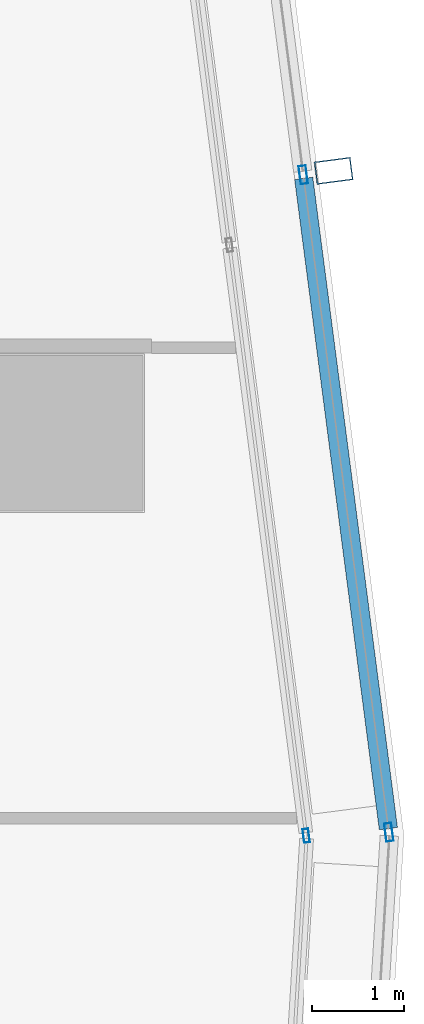
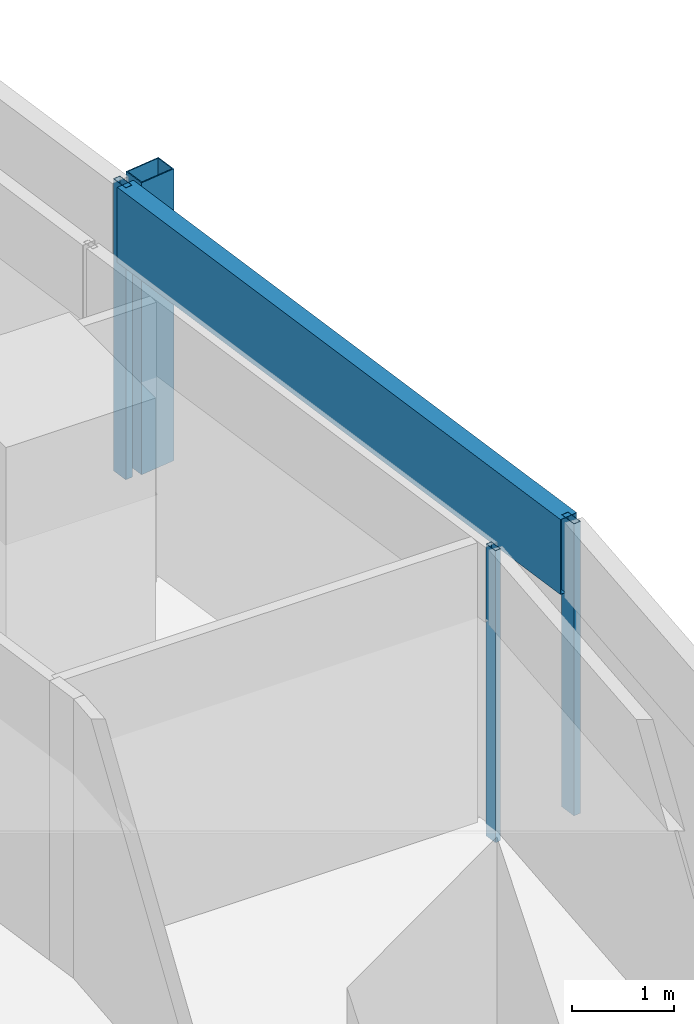
# One storey, part 24 of 38: 5 members, 2 elements without a shape of their own.
"""IFC4 building model written with IfcOpenShell, lengths in metres."""

from ifc_helpers import new_model, si_unit, direction, frame, origin, origin_2d, place, context, subcontext, project, spatial, hollow_rectangle, extrude, material, material_profile, profile_set, type_object, element, aggregate, save


model = new_model("IFC4")

# Units and contexts
model_context = context("Model", 3, precision=1e-05, world=origin(), true_north=direction((0.0, 1.0)))
body_context = subcontext(model_context, "Body", "Model", "MODEL_VIEW")
ifc_project = project(units=[si_unit("LENGTHUNIT", "METRE"), si_unit("AREAUNIT", "SQUARE_METRE"), si_unit("VOLUMEUNIT", "CUBIC_METRE"), si_unit("PLANEANGLEUNIT", "RADIAN"), si_unit("MASSUNIT", "GRAM", prefix="KILO")], contexts=[model_context])

# Site, building, storey
site_placement = place(None, origin())
site = spatial("IfcSite", under=ifc_project, at=site_placement, CompositionType="ELEMENT")
building_placement = place(site_placement, origin())
building = spatial("IfcBuilding", under=site, at=building_placement, Name="Rekha Terrace Tower", CompositionType="ELEMENT")
storey_placement = place(building_placement, frame((0.0, 0.0, 114.050048828125)))
storey = spatial("IfcBuildingStorey", under=building, at=storey_placement, Name="L28", CompositionType="ELEMENT", Elevation=114.050048828125)

# Curtain wall, member
ifc_material_1 = material(Name="Aluminium framing", Category="aluminium")
curtain_wall_type_1 = type_object("IfcCurtainWallType", Name="CW2 double skin outer glazing", PredefinedType="USERDEFINED", material=ifc_material_1)
curtain_wall_1_placement = place(storey_placement, origin())
curtain_wall_1 = element("IfcCurtainWall", 1, at=curtain_wall_1_placement, inside=storey, type_object=curtain_wall_type_1, Name="CW2 double skin outer glazing", ObjectType="DOUBLE SKIN OUTER GLAZING", PredefinedType="USERDEFINED")
ifc_material_2 = material(Name="Steel S355 with fluorocarbon finish", Category="steel")
ifc_material_profile_1 = material_profile(ifc_material_2, hollow_rectangle(XDim=0.25, YDim=0.39990234375, WallThickness=0.012451171875, at=origin_2d()), Name="RHS400x250x12.5")
ifc_profile_set_1 = profile_set([ifc_material_profile_1], Name="Steel S355 with fluorocarbon finish")
member_type_1 = type_object("IfcMemberType", Name="BL1 facade blade RHS 400 x 250", PredefinedType="USERDEFINED", material=ifc_profile_set_1)
member_1_placement = place(storey_placement, frame((70.131103515625, 53.2685546875, 0.0), z_axis=(0.0, 0.0, 1.0), x_axis=(-0.129119247945, 0.991629073702, 0.0)))
member_1 = element("IfcMember", 2, at=member_1_placement, type_object=member_type_1, Name="Facade blade", ObjectType="FACADE BLADE", PredefinedType="USERDEFINED", context=body_context, shape_type="SweptSolid", body=[
    extrude(hollow_rectangle(XDim=0.25, YDim=0.39990234375, WallThickness=0.012451171875, at=origin_2d()), origin(), (0.0, 0.0, 1.0), 3.5),
])

curtain_wall_type_2 = type_object("IfcCurtainWallType", Name="CW1 double skin inner glazing", PredefinedType="USERDEFINED", material=ifc_material_1)
curtain_wall_2_placement = place(storey_placement, origin())
curtain_wall_2 = element("IfcCurtainWall", 3, at=curtain_wall_2_placement, inside=storey, type_object=curtain_wall_type_2, Name="CW1 double skin inner glazing", ObjectType="DOUBLE SKIN INNER GLAZING", PredefinedType="USERDEFINED")
ifc_material_3 = material(Name="Aluminium mullion section", Category="aluminium")
ifc_material_profile_2 = material_profile(ifc_material_3, hollow_rectangle(XDim=0.06494140625, YDim=0.14990234375, WallThickness=0.00390625, at=origin_2d()), Name="AL RHS 65x150")
ifc_profile_set_2 = profile_set([ifc_material_profile_2], Name="Aluminium mullion section")
member_type_2 = type_object("IfcMemberType", Name="CW1 mullion RHS 65 x 150", PredefinedType="MULLION", material=ifc_profile_set_2)
member_2_placement = place(storey_placement, frame((69.83154296875, 46.00390625, 0.0), z_axis=(0.0, 0.0, 1.0), x_axis=(-0.991629186237, -0.129118383675, 0.0)))
member_2 = element("IfcMember", 4, at=member_2_placement, type_object=member_type_2, Name="CW1 mullion 1", PredefinedType="MULLION", context=body_context, shape_type="SweptSolid", body=[
    extrude(hollow_rectangle(XDim=0.06494140625, YDim=0.14990234375, WallThickness=0.00390625, at=origin_2d()), origin(), (0.0, 0.0, 1.0), 3.5),
])
aggregate(curtain_wall_2, [member_2])

# Member
ifc_material_profile_3 = material_profile(ifc_material_3, hollow_rectangle(XDim=0.080078125, YDim=0.199951171875, WallThickness=0.00390625, at=origin_2d()), Name="AL RHS 80x200")
ifc_profile_set_3 = profile_set([ifc_material_profile_3], Name="Aluminium mullion section")
member_type_3 = type_object("IfcMemberType", Name="CW2 mullion RHS 80 x 200", PredefinedType="MULLION", material=ifc_profile_set_3)
member_3_placement = place(storey_placement, frame((70.734130859375, 46.042236328125, 0.0), z_axis=(0.0, 0.0, 1.0), x_axis=(-0.991629186244, -0.129118383623, 0.0)))
member_3 = element("IfcMember", 5, at=member_3_placement, type_object=member_type_3, Name="CW2 mullion 1", PredefinedType="MULLION", context=body_context, shape_type="SweptSolid", body=[
    extrude(hollow_rectangle(XDim=0.080078125, YDim=0.199951171875, WallThickness=0.00390625, at=origin_2d()), origin(), (0.0, 0.0, 1.0), 3.5),
])

member_4_placement = place(storey_placement, frame((69.798828125, 53.225341796875, 0.0), z_axis=(0.0, 0.0, 1.0), x_axis=(-0.991629186244, -0.129118383623, 0.0)))
member_4 = element("IfcMember", 6, at=member_4_placement, type_object=member_type_3, Name="CW2 mullion 2", PredefinedType="MULLION", context=body_context, shape_type="SweptSolid", body=[
    extrude(hollow_rectangle(XDim=0.080078125, YDim=0.199951171875, WallThickness=0.00390625, at=origin_2d()), origin(), (0.0, 0.0, 1.0), 3.5),
])

ifc_material_4 = material(Name="Insulated aluminium spandrel box", Category="aluminium")
ifc_material_profile_4 = material_profile(ifc_material_4, hollow_rectangle(XDim=0.199951171875, YDim=0.89990234375, WallThickness=0.0029296875, at=origin_2d()), Name="AL SPANDREL BOX 200x900")
ifc_profile_set_4 = profile_set([ifc_material_profile_4], Name="Insulated aluminium spandrel box")
member_type_4 = type_object("IfcMemberType", Name="CW2 spandrel transom 200 x 900", PredefinedType="USERDEFINED", material=ifc_profile_set_4)
member_5_placement = place(storey_placement, frame((70.72900390625, 46.081787109375, 3.050048828125), z_axis=(-0.129125015962, 0.991628322635, 0.0), x_axis=(-0.991628322635, -0.129125015962, 0.0)))
member_5 = element("IfcMember", 7, at=member_5_placement, type_object=member_type_4, Name="CW2 spandrel transom 1", ObjectType="TRANSOM", PredefinedType="USERDEFINED", context=body_context, shape_type="SweptSolid", body=[
    extrude(hollow_rectangle(XDim=0.199951171875, YDim=0.89990234375, WallThickness=0.0029296875, at=origin_2d()), origin(), (0.0, 0.0, 1.0), 7.1640625),
])

aggregate(curtain_wall_1, [member_3, member_4, member_5, member_1])

save(model, "model.ifc")
